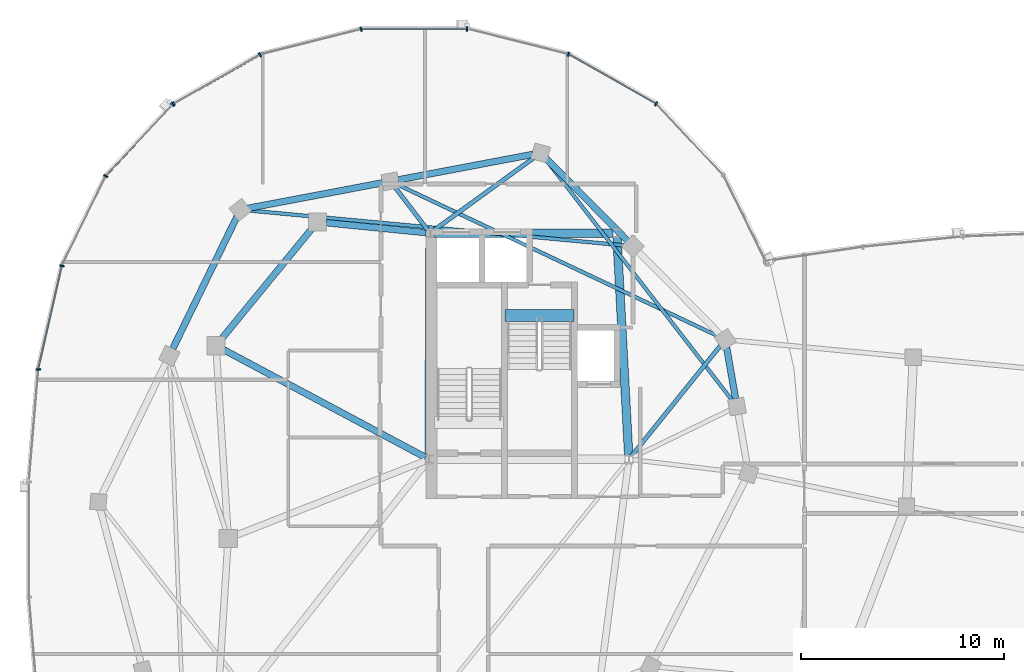
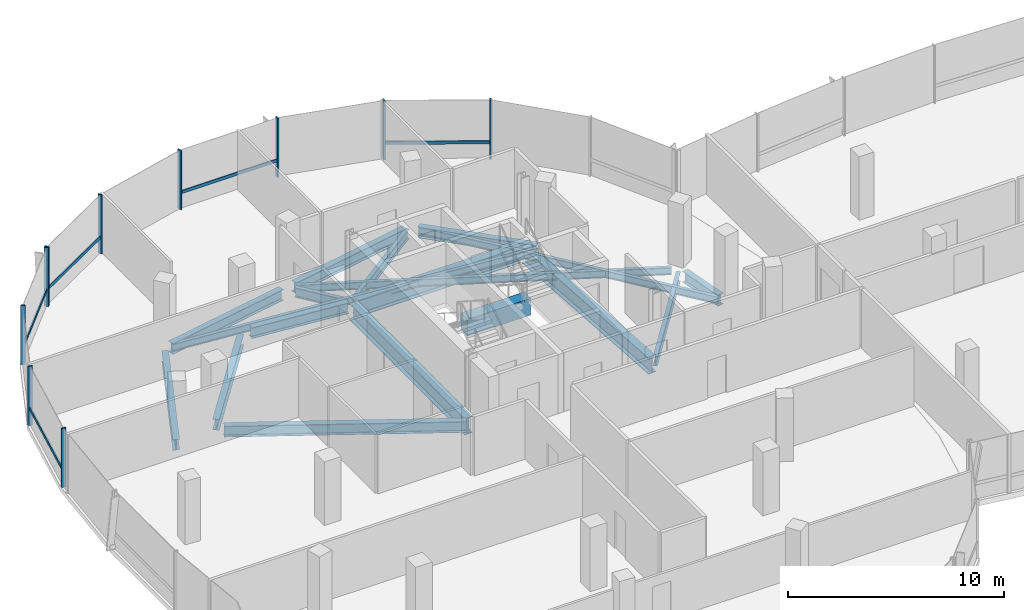
# One storey, part 6 of 26: 18 beams, 15 members, 2 elements without a shape of their own.
"""IFC4 building model written with IfcOpenShell, lengths in metres."""

import ifcopenshell
import ifcopenshell.guid

model = None  # the IFC model being written
_history = None  # IfcOwnerHistory: only IFC2X3 demands one
_inside = {}  # id of a spatial element -> (the spatial element, [elements in it])
_under = {}  # id of a project, library or spatial element -> (it, [spatial elements below it])
_declared = {}  # id of a project -> (the project, [libraries it declares])
_typed = {}  # id of a type object -> (the type object, [elements of that type])
_made_of = {}  # id of a material, layer set ... -> (it, [elements and type objects made of it])


def new_model(schema):
    """Start an empty IFC model of exactly this schema.

    Asked for "IFC4X3", IfcOpenShell would pick the latest addendum, in which some entities
    have other attributes; the version numbers below select the first issue.
    IFC2X3 requires an IfcOwnerHistory on every rooted entity: one is made here for all.
    """
    global model, _history
    if schema == "IFC4X3":
        model = ifcopenshell.file(schema_version=(4, 3, 0, 0))
    else:
        model = ifcopenshell.file(schema=schema)
    _inside.clear()
    _under.clear()
    _declared.clear()
    _typed.clear()
    _made_of.clear()
    _history = None
    if model.schema == "IFC2X3":
        org = make("IfcOrganization", Name="unknown")
        user = make(
            "IfcPersonAndOrganization",
            ThePerson=make("IfcPerson", FamilyName="unknown"),
            TheOrganization=org,
        )
        app = make(
            "IfcApplication",
            ApplicationDeveloper=org,
            Version="unknown",
            ApplicationFullName="unknown",
            ApplicationIdentifier="unknown",
        )
        _history = make(
            "IfcOwnerHistory",
            OwningUser=user,
            OwningApplication=app,
            ChangeAction="ADDED",
            CreationDate=0,
        )
    return model


def make(cls, **values):
    """One entity of the class cls with the attributes given. An attribute that is None is left unset."""
    return model.create_entity(
        cls, **{name: value for name, value in values.items() if value is not None}
    )


def rooted(cls, **values):
    """An entity with a GlobalId (a new one), such as an element, a storey or a relation."""
    return make(cls, GlobalId=ifcopenshell.guid.new(), OwnerHistory=_history, **values)


def si_unit(unit_type, name, prefix=None):
    """IfcSIUnit, for example si_unit("LENGTHUNIT", "METRE", prefix="MILLI")."""
    return make("IfcSIUnit", UnitType=unit_type, Prefix=prefix, Name=name)


def assignment(units):
    """IfcUnitAssignment: the units of a project."""
    return None if units is None else make("IfcUnitAssignment", Units=units)


def point(xyz):
    """IfcCartesianPoint."""
    return None if xyz is None else make("IfcCartesianPoint", Coordinates=xyz)


def direction(xyz):
    """IfcDirection."""
    return None if xyz is None else make("IfcDirection", DirectionRatios=xyz)


def frame(location, z_axis=None, x_axis=None):
    """IfcAxis2Placement3D, a coordinate frame: its origin and axes. An axis left out is left unset."""
    return make(
        "IfcAxis2Placement3D",
        Location=point(location),
        Axis=direction(z_axis),
        RefDirection=direction(x_axis),
    )


def frame_2d(location, x_axis=None):
    """IfcAxis2Placement2D, a coordinate frame in the plane: its origin and x axis."""
    return make(
        "IfcAxis2Placement2D", Location=point(location), RefDirection=direction(x_axis)
    )


def origin():
    """The frame at (0, 0, 0) with its axes left unset."""
    return frame((0.0, 0.0, 0.0))


def origin_2d():
    """The frame at (0, 0) in the plane with its x axis left unset."""
    return frame_2d((0.0, 0.0))


def place(relative_to, where):
    """IfcLocalPlacement: puts the frame where relative to a parent placement (None: the world)."""
    return make(
        "IfcLocalPlacement", PlacementRelTo=relative_to, RelativePlacement=where
    )


def context(
    kind, dimensions, precision=None, world=None, true_north=None, identifier=None
):
    """IfcGeometricRepresentationContext, for example the 3D "Model" context."""
    return make(
        "IfcGeometricRepresentationContext",
        ContextIdentifier=identifier,
        ContextType=kind,
        CoordinateSpaceDimension=dimensions,
        Precision=precision,
        WorldCoordinateSystem=world,
        TrueNorth=true_north,
    )


def subcontext(parent, identifier, kind, view, scale=None):
    """IfcGeometricRepresentationSubContext, for example "Body" below "Model"."""
    return make(
        "IfcGeometricRepresentationSubContext",
        ContextIdentifier=identifier,
        ContextType=kind,
        ParentContext=parent,
        TargetScale=scale,
        TargetView=view,
    )


def project(units=None, contexts=None):
    """IfcProject with its units and contexts."""
    return rooted(
        "IfcProject",
        Name="project",
        RepresentationContexts=contexts,
        UnitsInContext=assignment(units),
    )


def spatial(cls, under=None, at=None, **own):
    """A site, building, storey or space (cls), placed at a placement, below another one or the project."""
    s = rooted(cls, ObjectPlacement=at, **own)
    if under is not None:
        _under.setdefault(under.id(), (under, []))[1].append(s)
    return s


def profile(cls, at=None, kind="AREA", **sizes):
    """A parametric profile (cls). Its sizes go by their IFC names, for example OverallWidth=200.0."""
    return make(cls, ProfileType=kind, Position=at, **sizes)


def rectangle(**sizes):
    """IfcRectangleProfileDef."""
    return profile("IfcRectangleProfileDef", **sizes)


def i_section(**sizes):
    """IfcIShapeProfileDef."""
    return profile("IfcIShapeProfileDef", **sizes)


def extrude(swept, where, along, depth):
    """IfcExtrudedAreaSolid: the profile swept, set in the frame where, extruded along a direction by depth."""
    return make(
        "IfcExtrudedAreaSolid",
        SweptArea=swept,
        Position=where,
        ExtrudedDirection=direction(along),
        Depth=depth,
    )


def shape(context_of_items, identifier, shape_type, items):
    """IfcShapeRepresentation: the items that make up one representation, for example the "Body"."""
    return make(
        "IfcShapeRepresentation",
        ContextOfItems=context_of_items,
        RepresentationIdentifier=identifier,
        RepresentationType=shape_type,
        Items=items,
    )


def material(Name=None, Category=None):
    """IfcMaterial."""
    return make("IfcMaterial", Name=Name, Category=Category)


def material_profile(
    of_material, cross_section, Name=None, Category=None, Priority=None
):
    """IfcMaterialProfile: a cross section and its material."""
    return make(
        "IfcMaterialProfile",
        Name=Name,
        Material=of_material,
        Profile=cross_section,
        Priority=Priority,
        Category=Category,
    )


def profile_set(profiles, Name=None, composite=None):
    """IfcMaterialProfileSet."""
    return make(
        "IfcMaterialProfileSet",
        Name=Name,
        MaterialProfiles=profiles,
        CompositeProfile=composite,
    )


def made_of(thing, what):
    """Note that an element or type object is made of a material, layer set ...; save() writes the relation."""
    if what is not None:
        _made_of.setdefault(what.id(), (what, []))[1].append(thing)
    return thing


def type_object(cls, material=None, **own):
    """A type object (cls), such as IfcWallType, which elements share."""
    return made_of(rooted(cls, **own), material)


def element(
    cls,
    number,
    at=None,
    inside=None,
    cuts=None,
    type_object=None,
    material=None,
    context=None,
    identifier="Body",
    shape_type=None,
    held_by="IfcProductDefinitionShape",
    body=None,
    shapes=None,
    **own,
):
    """One element of the class cls, such as IfcWall. Its Tag is "e" and its number.

    at: its placement. inside: the storey or other place that contains it. cuts: it is an
    opening in that element (IfcRelVoidsElement). A single representation is given by context,
    identifier, shape_type and body (its items); several are given by shapes. held_by: the class
    of the entity that holds the representations. save() writes the other relations.
    """
    e = rooted(cls, Tag="e%d" % number, ObjectPlacement=at, **own)
    if body is not None:
        shapes = [shape(context, identifier, shape_type, body)]
    if shapes is not None:
        e.Representation = make(held_by, Representations=shapes)
    if inside is not None:
        _inside.setdefault(inside.id(), (inside, []))[1].append(e)
    if cuts is not None:
        rooted(
            "IfcRelVoidsElement", RelatingBuildingElement=cuts, RelatedOpeningElement=e
        )
    if type_object is not None:
        _typed.setdefault(type_object.id(), (type_object, []))[1].append(e)
    return made_of(e, material)


def aggregate(whole, parts):
    """IfcRelAggregates: a whole, such as a stair, and the parts it consists of."""
    return rooted("IfcRelAggregates", RelatingObject=whole, RelatedObjects=parts)


def save(model, path):
    """Write the relations noted so far, then the file.

    IfcRelAggregates (storeys below a building ...), IfcRelContainedInSpatialStructure (elements
    in a storey), IfcRelDefinesByType, IfcRelAssociatesMaterial and IfcRelDeclares: one each for
    every whole, place, type object, material and project.
    """
    for whole, parts in _under.values():
        aggregate(whole, parts)
    for where, things in _inside.values():
        rooted(
            "IfcRelContainedInSpatialStructure",
            RelatedElements=things,
            RelatingStructure=where,
        )
    for kind, things in _typed.values():
        rooted("IfcRelDefinesByType", RelatedObjects=things, RelatingType=kind)
    for what, things in _made_of.values():
        rooted("IfcRelAssociatesMaterial", RelatedObjects=things, RelatingMaterial=what)
    for by, libraries in _declared.values():
        rooted("IfcRelDeclares", RelatingContext=by, RelatedDefinitions=libraries)
    model.write(path)


model = new_model("IFC4")

# Units and contexts
model_context = context("Model", 3, precision=1e-05, world=origin(), true_north=direction((0.0, 1.0)))
body_context = subcontext(model_context, "Body", "Model", "MODEL_VIEW")
ifc_project = project(units=[si_unit("LENGTHUNIT", "METRE"), si_unit("AREAUNIT", "SQUARE_METRE"), si_unit("VOLUMEUNIT", "CUBIC_METRE"), si_unit("PLANEANGLEUNIT", "RADIAN"), si_unit("MASSUNIT", "GRAM", prefix="KILO"), si_unit("THERMODYNAMICTEMPERATUREUNIT", "KELVIN"), si_unit("POWERUNIT", "WATT")], contexts=[model_context])

# Site, building, storey
site_placement = place(None, origin())
site = spatial("IfcSite", under=ifc_project, at=site_placement, CompositionType="ELEMENT")
building_placement = place(site_placement, origin())
building = spatial("IfcBuilding", under=site, at=building_placement, Name="Cundina Bronze Exchange", CompositionType="ELEMENT")
storey_placement = place(building_placement, frame((0.0, 0.0, 261.199951171875)))
storey = spatial("IfcBuildingStorey", under=building, at=storey_placement, Name="L69", CompositionType="ELEMENT", Elevation=261.199951171875)

# Beams
ifc_material_1 = material(Name="Concrete C60/75", Category="concrete")
ifc_material_profile_1 = material_profile(ifc_material_1, rectangle(XDim=0.60009765625, YDim=0.949951171875, at=origin_2d()), Name="RC600X950", Category="concrete")
ifc_profile_set_1 = profile_set([ifc_material_profile_1], Name="Concrete C60/75")
beam_type_1 = type_object("IfcBeamType", Name="BM-COUP-RC950", PredefinedType="LINTEL", material=ifc_profile_set_1)
beam_1_placement = place(storey_placement, frame((-27.56005859375, 10.97998046875, -0.474853515625), z_axis=(1.0, 0.0, 0.0), x_axis=(0.0, 1.0, 0.0)))
element("IfcBeam", 1, at=beam_1_placement, inside=storey, type_object=beam_type_1, Name="L69 Stair W2 Landing Header Beam", PredefinedType="LINTEL", context=body_context, shape_type="SweptSolid", body=[
    extrude(rectangle(XDim=0.60009765625, YDim=0.949951171875, at=origin_2d()), origin(), (0.0, 0.0, 1.0), 3.400146484375),
])
ifc_material_2 = material(Name="Steel ASTM A992 Grade 50", Category="steel")
ifc_material_profile_2 = material_profile(ifc_material_2, i_section(OverallWidth=0.2119140625, OverallDepth=0.5439453125, WebThickness=0.01318359375, FlangeThickness=0.021240234375, FilletRadius=0.013916015625, at=origin_2d()), Name="W21X83", Category="steel")
ifc_profile_set_2 = profile_set([ifc_material_profile_2], Name="Steel ASTM A992 Grade 50")
beam_type_2 = type_object("IfcBeamType", Name="BM-FLR-W21A", PredefinedType="BEAM", material=ifc_profile_set_2)
beam_2_placement = place(storey_placement, frame((-21.3271484375, 4.052734375, -0.531982421875), z_axis=(0.627111236784, 0.778929712297, 0.0), x_axis=(-0.778929712297, 0.627111236784, 0.0)))
element("IfcBeam", 2, at=beam_2_placement, inside=storey, type_object=beam_type_2, Name="L69 Leg W Radial Floor Beam 02", PredefinedType="BEAM", context=body_context, shape_type="SweptSolid", body=[
    extrude(i_section(OverallWidth=0.2119140625, OverallDepth=0.5439453125, WebThickness=0.01318359375, FlangeThickness=0.021240234375, FilletRadius=0.013916015625, at=origin_2d()), origin(), (0.0, 0.0, 1.0), 6.990478515625),
])
beam_3_placement = place(storey_placement, frame((-31.09130859375, 15.1650390625, -0.531982421875), z_axis=(0.809701976545, 0.586841298119, 0.0), x_axis=(-0.586841298119, 0.809701976545, 0.0)))
element("IfcBeam", 3, at=beam_3_placement, inside=storey, type_object=beam_type_2, Name="L69 Leg W Radial Floor Beam 04", PredefinedType="BEAM", context=body_context, shape_type="SweptSolid", body=[
    extrude(i_section(OverallWidth=0.2119140625, OverallDepth=0.5439453125, WebThickness=0.01318359375, FlangeThickness=0.021240234375, FilletRadius=0.013916015625, at=origin_2d()), origin(), (0.0, 0.0, 1.0), 6.146728515625),
])
beam_4_placement = place(storey_placement, frame((-31.369140625, 15.205810546875, -0.531982421875), z_axis=(-0.607470812638, 0.794341999263, 0.0), x_axis=(-0.794341999263, -0.607470812638, 0.0)))
element("IfcBeam", 4, at=beam_4_placement, inside=storey, type_object=beam_type_2, Name="L69 Leg W Radial Floor Beam 05", PredefinedType="BEAM", context=body_context, shape_type="SweptSolid", body=[
    extrude(i_section(OverallWidth=0.2119140625, OverallDepth=0.5439453125, WebThickness=0.01318359375, FlangeThickness=0.021240234375, FilletRadius=0.013916015625, at=origin_2d()), origin(), (0.0, 0.0, 1.0), 2.6259765625),
])
ifc_material_profile_3 = material_profile(ifc_material_2, i_section(OverallWidth=0.178955078125, OverallDepth=0.409912109375, WebThickness=0.0087890625, FlangeThickness=0.014404296875, FilletRadius=0.010986328125, at=origin_2d()), Name="W16X45", Category="steel")
ifc_profile_set_3 = profile_set([ifc_material_profile_3], Name="Steel ASTM A992 Grade 50")
beam_type_3 = type_object("IfcBeamType", Name="BM-JST-W16", PredefinedType="JOIST", material=ifc_profile_set_3)
beam_5_placement = place(storey_placement, frame((-16.362548828125, 6.806884765625, -0.46484375), z_axis=(-0.612077855816, 0.790797507849, 0.0), x_axis=(-0.790797507849, -0.612077855816, 0.0)))
element("IfcBeam", 5, at=beam_5_placement, inside=storey, type_object=beam_type_3, Name="L69 Leg W Lobe Floor Joist 01-04", PredefinedType="JOIST", context=body_context, shape_type="SweptSolid", body=[
    extrude(i_section(OverallWidth=0.178955078125, OverallDepth=0.409912109375, WebThickness=0.0087890625, FlangeThickness=0.014404296875, FilletRadius=0.010986328125, at=origin_2d()), origin(), (0.0, 0.0, 1.0), 15.03076171875),
])
beam_6_placement = place(storey_placement, frame((-17.05078125, 9.9658203125, -0.46484375), z_axis=(-0.904073247994, 0.427377540661, 0.0), x_axis=(-0.427377540661, -0.904073247994, 0.0)))
element("IfcBeam", 6, at=beam_6_placement, inside=storey, type_object=beam_type_3, Name="L69 Leg W Lobe Floor Joist 02-05", PredefinedType="JOIST", context=body_context, shape_type="SweptSolid", body=[
    extrude(i_section(OverallWidth=0.178955078125, OverallDepth=0.409912109375, WebThickness=0.0087890625, FlangeThickness=0.014404296875, FilletRadius=0.010986328125, at=origin_2d()), origin(), (0.0, 0.0, 1.0), 17.474609375),
])
beam_7_placement = place(storey_placement, frame((-21.63623046875, 14.435791015625, -0.46484375), z_axis=(-0.995700514338, 0.092630911398, 0.0), x_axis=(-0.092630911398, -0.995700514338, 0.0)))
element("IfcBeam", 7, at=beam_7_placement, inside=storey, type_object=beam_type_3, Name="L69 Leg W Lobe Floor Joist 03-06", PredefinedType="JOIST", context=body_context, shape_type="SweptSolid", body=[
    extrude(i_section(OverallWidth=0.178955078125, OverallDepth=0.409912109375, WebThickness=0.0087890625, FlangeThickness=0.014404296875, FilletRadius=0.010986328125, at=origin_2d()), origin(), (0.0, 0.0, 1.0), 18.65771484375),
])
ifc_material_profile_4 = material_profile(ifc_material_2, i_section(OverallWidth=0.324951171875, OverallDepth=0.615966796875, WebThickness=0.013916015625, FlangeThickness=0.021484375, FilletRadius=0.01611328125, at=origin_2d()), Name="W24X117", Category="steel")
ifc_profile_set_4 = profile_set([ifc_material_profile_4], Name="Steel ASTM A992 Grade 50")
beam_type_4 = type_object("IfcBeamType", Name="BM-RING-W24", PredefinedType="USERDEFINED", material=ifc_profile_set_4)
beam_8_placement = place(storey_placement, frame((-31.445068359375, 15.0693359375, -0.56787109375), z_axis=(-0.995123854478, 0.09863323096, 0.0), x_axis=(-0.09863323096, -0.995123854478, 0.0)))
element("IfcBeam", 8, at=beam_8_placement, inside=storey, type_object=beam_type_4, Name="L69 W Inner Structural Ring Girder 01", ObjectType="GIRDER", PredefinedType="USERDEFINED", context=body_context, shape_type="SweptSolid", body=[
    extrude(i_section(OverallWidth=0.324951171875, OverallDepth=0.615966796875, WebThickness=0.013916015625, FlangeThickness=0.021484375, FilletRadius=0.01611328125, at=origin_2d()), origin(), (0.0, 0.0, 1.0), 4.943115234375),
])
beam_9_placement = place(storey_placement, frame((-37.07763671875, 15.26123046875, -0.56787109375), z_axis=(-0.633912590175, -0.77340469873, 0.0), x_axis=(0.77340469873, -0.633912590175, 0.0)))
element("IfcBeam", 9, at=beam_9_placement, inside=storey, type_object=beam_type_4, Name="L69 W Inner Structural Ring Girder 02", ObjectType="GIRDER", PredefinedType="USERDEFINED", context=body_context, shape_type="SweptSolid", body=[
    extrude(i_section(OverallWidth=0.324951171875, OverallDepth=0.615966796875, WebThickness=0.013916015625, FlangeThickness=0.021484375, FilletRadius=0.01611328125, at=origin_2d()), origin(), (0.0, 0.0, 1.0), 7.01123046875),
])
beam_10_placement = place(storey_placement, frame((-31.472900390625, 3.9921875, -0.56787109375), z_axis=(-0.882350541683, 0.470592734317, 0.0), x_axis=(-0.470592734317, -0.882350541683, 0.0)))
element("IfcBeam", 10, at=beam_10_placement, inside=storey, type_object=beam_type_4, Name="L69 W Core-to-Waist Tie Beam 2", ObjectType="GIRDER", PredefinedType="USERDEFINED", context=body_context, shape_type="SweptSolid", body=[
    extrude(i_section(OverallWidth=0.324951171875, OverallDepth=0.615966796875, WebThickness=0.013916015625, FlangeThickness=0.021484375, FilletRadius=0.01611328125, at=origin_2d()), origin(), (0.0, 0.0, 1.0), 11.26611328125),
])
beam_11_placement = place(storey_placement, frame((-16.191650390625, 6.882080078125, -0.56787109375), z_axis=(-0.171593362587, 0.985167862811, 0.0), x_axis=(-0.985167862811, -0.171593362587, 0.0)))
element("IfcBeam", 11, at=beam_11_placement, inside=storey, type_object=beam_type_4, Name="L69 W Perimeter Ring Girder 01", ObjectType="GIRDER", PredefinedType="USERDEFINED", context=body_context, shape_type="SweptSolid", body=[
    extrude(i_section(OverallWidth=0.324951171875, OverallDepth=0.615966796875, WebThickness=0.013916015625, FlangeThickness=0.021484375, FilletRadius=0.01611328125, at=origin_2d()), origin(), (0.0, 0.0, 1.0), 2.57373046875),
])
beam_12_placement = place(storey_placement, frame((-21.52294921875, 14.67578125, -0.56787109375), z_axis=(-0.703215820204, 0.710976448425, 0.0), x_axis=(-0.710976448425, -0.703215820204, 0.0)))
element("IfcBeam", 12, at=beam_12_placement, inside=storey, type_object=beam_type_4, Name="L69 W Perimeter Ring Girder 03", ObjectType="GIRDER", PredefinedType="USERDEFINED", context=body_context, shape_type="SweptSolid", body=[
    extrude(i_section(OverallWidth=0.324951171875, OverallDepth=0.615966796875, WebThickness=0.013916015625, FlangeThickness=0.021484375, FilletRadius=0.01611328125, at=origin_2d()), origin(), (0.0, 0.0, 1.0), 5.694091796875),
])
beam_13_placement = place(storey_placement, frame((-26.18115234375, 18.927978515625, -0.56787109375), z_axis=(-0.982568104771, -0.185902984072, 0.0), x_axis=(0.185902984072, -0.982568104771, 0.0)))
element("IfcBeam", 13, at=beam_13_placement, inside=storey, type_object=beam_type_4, Name="L69 W Perimeter Ring Girder 04", ObjectType="GIRDER", PredefinedType="USERDEFINED", context=body_context, shape_type="SweptSolid", body=[
    extrude(i_section(OverallWidth=0.324951171875, OverallDepth=0.615966796875, WebThickness=0.013916015625, FlangeThickness=0.021484375, FilletRadius=0.01611328125, at=origin_2d()), origin(), (0.0, 0.0, 1.0), 6.75537109375),
])
beam_14_placement = place(storey_placement, frame((-33.581298828125, 17.52783203125, -0.56787109375), z_axis=(-0.982573456977, -0.185874693392, 0.0), x_axis=(0.185874693392, -0.982573456977, 0.0)))
element("IfcBeam", 14, at=beam_14_placement, inside=storey, type_object=beam_type_4, Name="L69 W Perimeter Ring Girder 05", ObjectType="GIRDER", PredefinedType="USERDEFINED", context=body_context, shape_type="SweptSolid", body=[
    extrude(i_section(OverallWidth=0.324951171875, OverallDepth=0.615966796875, WebThickness=0.013916015625, FlangeThickness=0.021484375, FilletRadius=0.01611328125, at=origin_2d()), origin(), (0.0, 0.0, 1.0), 6.755126953125),
])
beam_15_placement = place(storey_placement, frame((-40.76953125, 15.85107421875, -0.56787109375), z_axis=(-0.437216986791, -0.899356050995, 0.0), x_axis=(0.899356050995, -0.437216986791, 0.0)))
element("IfcBeam", 15, at=beam_15_placement, inside=storey, type_object=beam_type_4, Name="L69 W Perimeter Ring Girder 06", ObjectType="GIRDER", PredefinedType="USERDEFINED", context=body_context, shape_type="SweptSolid", body=[
    extrude(i_section(OverallWidth=0.324951171875, OverallDepth=0.615966796875, WebThickness=0.013916015625, FlangeThickness=0.021484375, FilletRadius=0.01611328125, at=origin_2d()), origin(), (0.0, 0.0, 1.0), 7.2294921875),
])
ifc_material_profile_5 = material_profile(ifc_material_2, i_section(OverallWidth=0.41796875, OverallDepth=0.927001953125, WebThickness=0.019287109375, FlangeThickness=0.031982421875, FilletRadius=0.02392578125, at=origin_2d()), Name="W36X231", Category="steel")
ifc_profile_set_5 = profile_set([ifc_material_profile_5], Name="Steel ASTM A992 Grade 50")
beam_type_5 = type_object("IfcBeamType", Name="BM-WRN-W36B", PredefinedType="USERDEFINED", material=ifc_profile_set_5)
beam_16_placement = place(storey_placement, frame((-21.46044921875, 4.095703125, -0.723388671875), z_axis=(-0.053749317644, 0.998554460634, 0.0), x_axis=(-0.998554460634, -0.053749317644, 0.0)))
element("IfcBeam", 16, at=beam_16_placement, inside=storey, type_object=beam_type_5, Name="L69 W Core Perimeter Tie Girder 2", ObjectType="GIRDER", PredefinedType="USERDEFINED", context=body_context, shape_type="SweptSolid", body=[
    extrude(i_section(OverallWidth=0.41796875, OverallDepth=0.927001953125, WebThickness=0.019287109375, FlangeThickness=0.031982421875, FilletRadius=0.02392578125, at=origin_2d()), origin(), (0.0, 0.0, 1.0), 10.774169921875),
])
beam_17_placement = place(storey_placement, frame((-22.24609375, 15.050048828125, -0.723388671875), z_axis=(-1.0, 0.0, 0.0), x_axis=(0.0, -1.0, 0.0)))
element("IfcBeam", 17, at=beam_17_placement, inside=storey, type_object=beam_type_5, Name="L69 W Core Perimeter Tie Girder 3", ObjectType="GIRDER", PredefinedType="USERDEFINED", context=body_context, shape_type="SweptSolid", body=[
    extrude(i_section(OverallWidth=0.41796875, OverallDepth=0.927001953125, WebThickness=0.019287109375, FlangeThickness=0.031982421875, FilletRadius=0.02392578125, at=origin_2d()), origin(), (0.0, 0.0, 1.0), 8.807861328125),
])
beam_18_placement = place(storey_placement, frame((-31.2509765625, 14.85400390625, -0.723388671875), z_axis=(-0.004470623654, -0.999990006712, 0.0), x_axis=(0.999990006712, -0.004470623654, 0.0)))
element("IfcBeam", 18, at=beam_18_placement, inside=storey, type_object=beam_type_5, Name="L69 W Core Perimeter Tie Girder 4", ObjectType="GIRDER", PredefinedType="USERDEFINED", context=body_context, shape_type="SweptSolid", body=[
    extrude(i_section(OverallWidth=0.41796875, OverallDepth=0.927001953125, WebThickness=0.019287109375, FlangeThickness=0.031982421875, FilletRadius=0.02392578125, at=origin_2d()), origin(), (0.0, 0.0, 1.0), 10.758056640625),
])

# Curtain wall, members
ifc_material_3 = material(Name="Anodised Bronze Aluminium 6063-T6", Category="aluminium")
curtain_wall_type = type_object("IfcCurtainWallType", Name="CWS-SKG-BRG", PredefinedType="NOTDEFINED", material=ifc_material_3)
curtain_wall_1_placement = place(storey_placement, origin())
curtain_wall_1 = element("IfcCurtainWall", 19, at=curtain_wall_1_placement, inside=storey, type_object=curtain_wall_type, Name="L69 CW-06 Curtain Wall Run CWR-L69-W1", PredefinedType="NOTDEFINED")
ifc_material_profile_6 = material_profile(ifc_material_3, rectangle(XDim=0.074951171875, YDim=0.219970703125, at=origin_2d()), Name="AL75X220", Category="aluminium")
ifc_profile_set_6 = profile_set([ifc_material_profile_6], Name="Anodised Bronze Aluminium 6063-T6")
member_type_1 = type_object("IfcMemberType", Name="CWM-MUL-220", PredefinedType="MULLION", material=ifc_profile_set_6)
member_1_placement = place(storey_placement, frame((-20.11083984375, 21.419921875, 0.0), z_axis=(0.0, 0.0, 1.0), x_axis=(-0.86958112538, 0.493790103568, 0.0)))
member_1 = element("IfcMember", 20, at=member_1_placement, type_object=member_type_1, Name="CW-06 Mullion 3", PredefinedType="MULLION", context=body_context, shape_type="SweptSolid", body=[
    extrude(rectangle(XDim=0.074951171875, YDim=0.219970703125, at=origin_2d()), origin(), (0.0, 0.0, 1.0), 3.340087890625),
])
member_2_placement = place(storey_placement, frame((-24.4296875, 23.86181640625, 0.0), z_axis=(0.0, 0.0, 1.0), x_axis=(-0.969744325821, 0.244122802168, 0.0)))
member_2 = element("IfcMember", 21, at=member_2_placement, type_object=member_type_1, Name="CW-06 Mullion 4", PredefinedType="MULLION", context=body_context, shape_type="SweptSolid", body=[
    extrude(rectangle(XDim=0.074951171875, YDim=0.219970703125, at=origin_2d()), origin(), (0.0, 0.0, 1.0), 3.340087890625),
])
member_3_placement = place(storey_placement, frame((-29.423583984375, 25.110107421875, 0.0), z_axis=(0.0, 0.0, 1.0), x_axis=(-1.0, 0.0, 0.0)))
member_3 = element("IfcMember", 22, at=member_3_placement, type_object=member_type_1, Name="CW-06 Mullion 5", PredefinedType="MULLION", context=body_context, shape_type="SweptSolid", body=[
    extrude(rectangle(XDim=0.074951171875, YDim=0.219970703125, at=origin_2d()), origin(), (0.0, 0.0, 1.0), 3.340087890625),
])
member_4_placement = place(storey_placement, frame((-34.648193359375, 25.10107421875, 0.0), z_axis=(0.0, 0.0, 1.0), x_axis=(-0.969744325821, -0.244122802168, 0.0)))
member_4 = element("IfcMember", 23, at=member_4_placement, type_object=member_type_1, Name="CW-06 Mullion 6", PredefinedType="MULLION", context=body_context, shape_type="SweptSolid", body=[
    extrude(rectangle(XDim=0.074951171875, YDim=0.219970703125, at=origin_2d()), origin(), (0.0, 0.0, 1.0), 3.340087890625),
])
member_5_placement = place(storey_placement, frame((-39.634521484375, 23.8359375, 0.0), z_axis=(0.0, 0.0, 1.0), x_axis=(-0.86958112538, -0.493790103568, 0.0)))
member_5 = element("IfcMember", 24, at=member_5_placement, type_object=member_type_1, Name="CW-06 Mullion 7", PredefinedType="MULLION", context=body_context, shape_type="SweptSolid", body=[
    extrude(rectangle(XDim=0.074951171875, YDim=0.219970703125, at=origin_2d()), origin(), (0.0, 0.0, 1.0), 3.340087890625),
])
member_6_placement = place(storey_placement, frame((-43.88916015625, 21.419921875, 0.0), z_axis=(0.0, 0.0, 1.0), x_axis=(-0.86958112538, -0.493790103568, 0.0)))
member_6 = element("IfcMember", 25, at=member_6_placement, type_object=member_type_1, Name="CW-06 End Mullion", PredefinedType="MULLION", context=body_context, shape_type="SweptSolid", body=[
    extrude(rectangle(XDim=0.074951171875, YDim=0.219970703125, at=origin_2d()), origin(), (0.0, 0.0, 1.0), 3.340087890625),
])

curtain_wall_2_placement = place(storey_placement, origin())
curtain_wall_2 = element("IfcCurtainWall", 26, at=curtain_wall_2_placement, inside=storey, type_object=curtain_wall_type, Name="L69 CW-06 Curtain Wall Run CWR-L69-W2", PredefinedType="NOTDEFINED")
member_7_placement = place(storey_placement, frame((-43.940185546875, 21.3798828125, 0.0), z_axis=(0.0, 0.0, 1.0), x_axis=(-0.684292606175, -0.729207535023, 0.0)))
member_7 = element("IfcMember", 27, at=member_7_placement, type_object=member_type_1, Name="CW-06 Mullion 1", PredefinedType="MULLION", context=body_context, shape_type="SweptSolid", body=[
    extrude(rectangle(XDim=0.074951171875, YDim=0.219970703125, at=origin_2d()), origin(), (0.0, 0.0, 1.0), 3.340087890625),
])
member_8_placement = place(storey_placement, frame((-47.2333984375, 17.856689453125, 0.0), z_axis=(0.0, 0.0, 1.0), x_axis=(-0.440566004113, -0.897720221461, 0.0)))
member_8 = element("IfcMember", 28, at=member_8_placement, type_object=member_type_1, Name="CW-06 Mullion 2", PredefinedType="MULLION", context=body_context, shape_type="SweptSolid", body=[
    extrude(rectangle(XDim=0.074951171875, YDim=0.219970703125, at=origin_2d()), origin(), (0.0, 0.0, 1.0), 3.340087890625),
])
member_9_placement = place(storey_placement, frame((-49.39404296875, 13.433837890625, 0.0), z_axis=(0.0, 0.0, 1.0), x_axis=(-0.223250116011, -0.974761194191, 0.0)))
member_9 = element("IfcMember", 29, at=member_9_placement, type_object=member_type_1, Name="CW-06 Mullion 3", PredefinedType="MULLION", context=body_context, shape_type="SweptSolid", body=[
    extrude(rectangle(XDim=0.074951171875, YDim=0.219970703125, at=origin_2d()), origin(), (0.0, 0.0, 1.0), 3.340087890625),
])
member_10_placement = place(storey_placement, frame((-50.557861328125, 8.32568359375, 0.0), z_axis=(0.0, 0.0, 1.0), x_axis=(-0.083677843332, -0.99649285925, 0.0)))
member_10 = element("IfcMember", 30, at=member_10_placement, type_object=member_type_1, Name="CW-06 Mullion 4", PredefinedType="MULLION", context=body_context, shape_type="SweptSolid", body=[
    extrude(rectangle(XDim=0.074951171875, YDim=0.219970703125, at=origin_2d()), origin(), (0.0, 0.0, 1.0), 3.340087890625),
])

# Member
ifc_material_profile_7 = material_profile(ifc_material_3, rectangle(XDim=0.070068359375, YDim=0.179931640625, at=origin_2d()), Name="AL70X180", Category="aluminium")
ifc_profile_set_7 = profile_set([ifc_material_profile_7], Name="Anodised Bronze Aluminium 6063-T6")
member_type_2 = type_object("IfcMemberType", Name="CWM-TRN-180", PredefinedType="USERDEFINED", material=ifc_profile_set_7)
member_11_placement = place(storey_placement, frame((-20.146728515625, 21.440185546875, 0.920166015625), z_axis=(-0.869557366176, 0.493831941989, 0.0), x_axis=(-0.493831941989, -0.869557366176, 0.0)))
member_11 = element("IfcMember", 31, at=member_11_placement, type_object=member_type_2, Name="CW-06 Spandrel Transom 3", ObjectType="TRANSOM", PredefinedType="USERDEFINED", context=body_context, shape_type="SweptSolid", body=[
    extrude(rectangle(XDim=0.070068359375, YDim=0.179931640625, at=origin_2d()), origin(), (0.0, 0.0, 1.0), 4.892822265625),
])

member_12_placement = place(storey_placement, frame((-29.464599609375, 25.110107421875, 0.920166015625), z_axis=(-1.0, 0.0, 0.0), x_axis=(0.0, -1.0, 0.0)))
member_12 = element("IfcMember", 32, at=member_12_placement, type_object=member_type_2, Name="CW-06 Spandrel Transom 5", ObjectType="TRANSOM", PredefinedType="USERDEFINED", context=body_context, shape_type="SweptSolid", body=[
    extrude(rectangle(XDim=0.070068359375, YDim=0.179931640625, at=origin_2d()), origin(), (0.0, 0.0, 1.0), 5.1533203125),
])

member_13_placement = place(storey_placement, frame((-39.67041015625, 23.815673828125, 0.920166015625), z_axis=(-0.869558105282, -0.493830640542, 0.0), x_axis=(0.493830640542, -0.869558105282, 0.0)))
member_13 = element("IfcMember", 33, at=member_13_placement, type_object=member_type_2, Name="CW-06 Spandrel Transom 7", ObjectType="TRANSOM", PredefinedType="USERDEFINED", context=body_context, shape_type="SweptSolid", body=[
    extrude(rectangle(XDim=0.070068359375, YDim=0.179931640625, at=origin_2d()), origin(), (0.0, 0.0, 1.0), 4.810302734375),
])

aggregate(curtain_wall_1, [member_1, member_11, member_2, member_3, member_12, member_4, member_5, member_6, member_13])

member_14_placement = place(storey_placement, frame((-43.968505859375, 21.349609375, 0.920166015625), z_axis=(-0.684328474899, -0.729173873944, 0.0), x_axis=(0.729173873944, -0.684328474899, 0.0)))
member_14 = element("IfcMember", 34, at=member_14_placement, type_object=member_type_2, Name="CW-06 Spandrel Transom 1", ObjectType="TRANSOM", PredefinedType="USERDEFINED", context=body_context, shape_type="SweptSolid", body=[
    extrude(rectangle(XDim=0.070068359375, YDim=0.179931640625, at=origin_2d()), origin(), (0.0, 0.0, 1.0), 4.758056640625),
])

member_15_placement = place(storey_placement, frame((-49.4033203125, 13.3935546875, 0.920166015625), z_axis=(-0.223257048806, -0.974759606343, 0.0), x_axis=(0.974759606343, -0.223257048806, 0.0)))
member_15 = element("IfcMember", 35, at=member_15_placement, type_object=member_type_2, Name="CW-06 Spandrel Transom 3", ObjectType="TRANSOM", PredefinedType="USERDEFINED", context=body_context, shape_type="SweptSolid", body=[
    extrude(rectangle(XDim=0.070068359375, YDim=0.179931640625, at=origin_2d()), origin(), (0.0, 0.0, 1.0), 5.15283203125),
])

aggregate(curtain_wall_2, [member_7, member_14, member_8, member_9, member_15, member_10])

save(model, "model.ifc")
